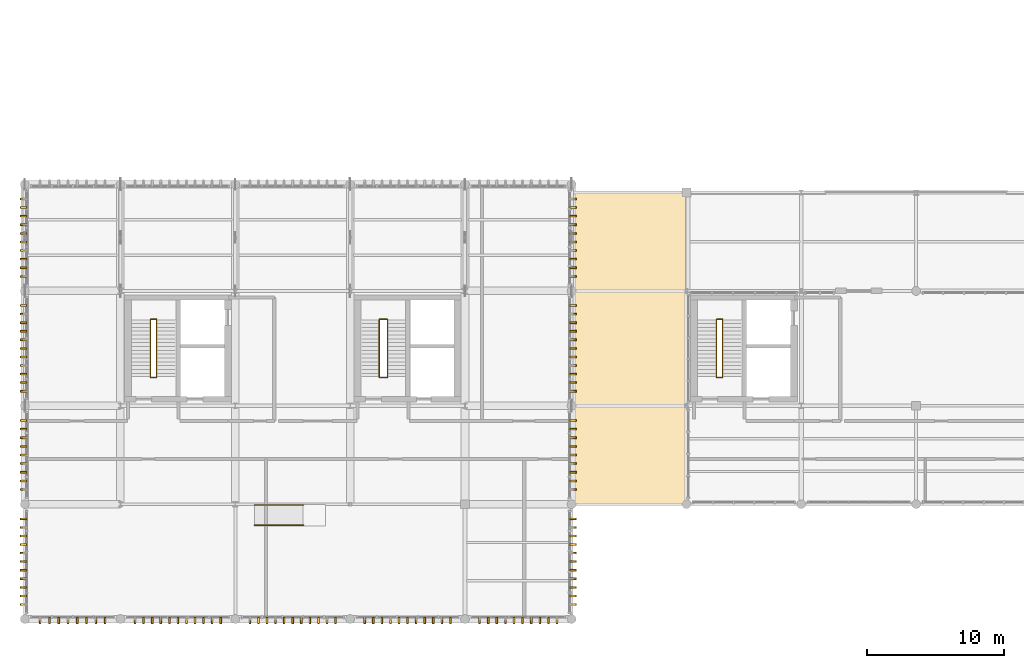
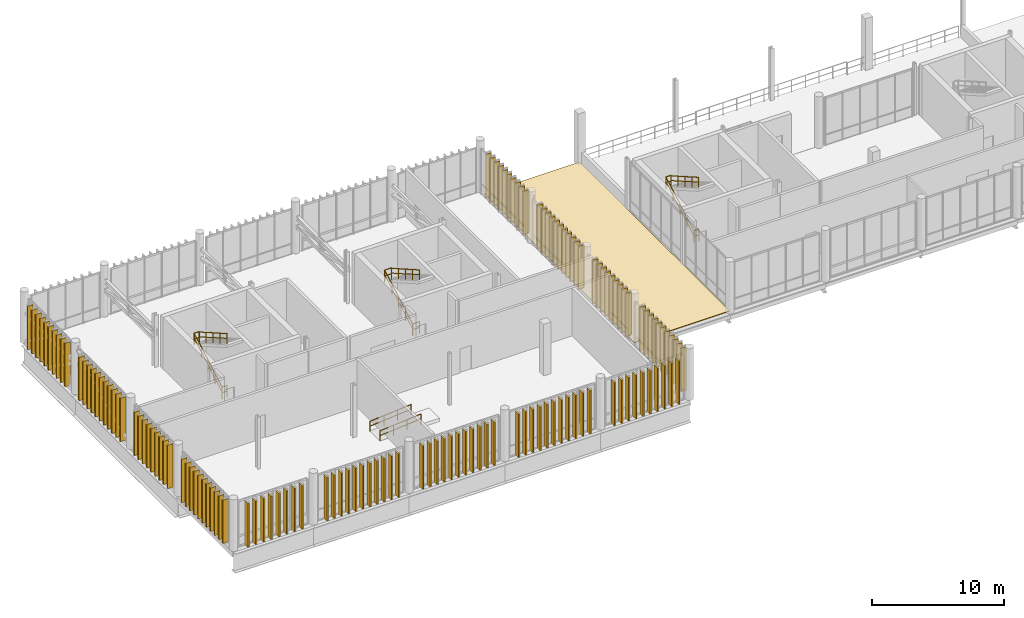
# One storey, part 76 of 81: 134 coverings, 14 railings, 1 element without a shape of its own.
"""IFC4 building model written with IfcOpenShell, lengths in metres."""

from ifc_helpers import new_model, si_unit, direction, frame, frame_2d, origin_with_axes, origin_2d_with_axis, place, context, subcontext, project, spatial, polyline, rectangle, circle, outline, extrude, material, type_object, element, aggregate, save


model = new_model("IFC4")

# Units and contexts
model_context = context("Model", 3, precision=1e-05, world=origin_with_axes(), true_north=direction((0.0, 1.0)))
body_context = subcontext(model_context, "Body", "Model", "MODEL_VIEW")
ifc_project = project(units=[si_unit("LENGTHUNIT", "METRE"), si_unit("AREAUNIT", "SQUARE_METRE"), si_unit("VOLUMEUNIT", "CUBIC_METRE"), si_unit("PLANEANGLEUNIT", "RADIAN"), si_unit("MASSUNIT", "GRAM", prefix="KILO"), si_unit("THERMODYNAMICTEMPERATUREUNIT", "KELVIN")], contexts=[model_context])

# Site, building, storey
site_placement = place(None, origin_with_axes())
site = spatial("IfcSite", under=ifc_project, at=site_placement, CompositionType="ELEMENT")
building_placement = place(site_placement, origin_with_axes())
building = spatial("IfcBuilding", under=site, at=building_placement, Name="Montbau Bow Law Courts", CompositionType="ELEMENT")
storey_placement = place(building_placement, frame((0.0, 0.0, 24.9), z_axis=(0.0, 0.0, 1.0), x_axis=(1.0, 0.0, 0.0)))
storey = spatial("IfcBuildingStorey", under=building, at=storey_placement, Name="L05", CompositionType="ELEMENT", Elevation=24.9)

# Coverings
ifc_material_1 = material(Name="Freeze-Thaw Glazed Terracotta-Red Ceramic Vertical Louvre", Category="masonry")
covering_type_1 = type_object("IfcCoveringType", Name="CV-LVR-RED", PredefinedType="CLADDING", material=ifc_material_1)
for number, where, z_axis, x_axis, name in (
    (1, (7.92, 30.73, 24.9), (-1.0, 0.0, 0.0), (0.0, -1.0, 0.0), "CLV-L05-0608:cov_0653"),
    (2, (8.6, 30.73, 24.9), (-1.0, 0.0, 0.0), (0.0, -1.0, 0.0), "CLV-L05-0609:cov_0654"),
    (3, (9.28, 30.73, 24.9), (-1.0, 0.0, 0.0), (0.0, -1.0, 0.0), "CLV-L05-0610:cov_0655"),
    (4, (9.96, 30.73, 24.9), (-1.0, 0.0, 0.0), (0.0, -1.0, 0.0), "CLV-L05-0611:cov_0656"),
    (5, (10.64, 30.73, 24.9), (-1.0, 0.0, 0.0), (0.0, -1.0, 0.0), "CLV-L05-0612:cov_0657"),
    (6, (11.32, 30.73, 24.9), (-1.0, 0.0, 0.0), (0.0, -1.0, 0.0), "CLV-L05-0613:cov_0658"),
    (7, (12.0, 30.73, 24.9), (-1.0, 0.0, 0.0), (0.0, -1.0, 0.0), "CLV-L05-0614:cov_0659"),
    (8, (12.68, 30.73, 24.9), (-1.0, 0.0, 0.0), (0.0, -1.0, 0.0), "CLV-L05-0615:cov_0660"),
    (9, (14.867, 30.73, 24.9), (-1.0, 0.0, 0.0), (0.0, -1.0, 0.0), "CLV-L05-0616:cov_0661"),
    (10, (15.493, 30.73, 24.9), (-1.0, 0.0, 0.0), (0.0, -1.0, 0.0), "CLV-L05-0617:cov_0662"),
    (11, (16.12, 30.73, 24.9), (-1.0, 0.0, 0.0), (0.0, -1.0, 0.0), "CLV-L05-0618:cov_0663"),
    (12, (16.747, 30.73, 24.9), (-1.0, 0.0, 0.0), (0.0, -1.0, 0.0), "CLV-L05-0619:cov_0664"),
    (13, (17.373, 30.73, 24.9), (-1.0, 0.0, 0.0), (0.0, -1.0, 0.0), "CLV-L05-0620:cov_0665"),
    (14, (18.0, 30.73, 24.9), (-1.0, 0.0, 0.0), (0.0, -1.0, 0.0), "CLV-L05-0621:cov_0666"),
    (15, (18.627, 30.73, 24.9), (-1.0, 0.0, 0.0), (0.0, -1.0, 0.0), "CLV-L05-0622:cov_0667"),
    (16, (19.253, 30.73, 24.9), (-1.0, 0.0, 0.0), (0.0, -1.0, 0.0), "CLV-L05-0623:cov_0668"),
    (17, (19.88, 30.73, 24.9), (-1.0, 0.0, 0.0), (0.0, -1.0, 0.0), "CLV-L05-0624:cov_0669"),
    (18, (20.507, 30.73, 24.9), (-1.0, 0.0, 0.0), (0.0, -1.0, 0.0), "CLV-L05-0625:cov_0670"),
    (19, (21.133, 30.73, 24.9), (-1.0, 0.0, 0.0), (0.0, -1.0, 0.0), "CLV-L05-0626:cov_0671"),
    (20, (23.267, 30.73, 24.9), (-1.0, 0.0, 0.0), (0.0, -1.0, 0.0), "CLV-L05-0627:cov_0672"),
    (21, (23.893, 30.73, 24.9), (-1.0, 0.0, 0.0), (0.0, -1.0, 0.0), "CLV-L05-0628:cov_0673"),
    (22, (24.52, 30.73, 24.9), (-1.0, 0.0, 0.0), (0.0, -1.0, 0.0), "CLV-L05-0629:cov_0674"),
    (23, (25.147, 30.73, 24.9), (-1.0, 0.0, 0.0), (0.0, -1.0, 0.0), "CLV-L05-0630:cov_0675"),
    (24, (25.773, 30.73, 24.9), (-1.0, 0.0, 0.0), (0.0, -1.0, 0.0), "CLV-L05-0631:cov_0676"),
    (25, (26.4, 30.73, 24.9), (-1.0, 0.0, 0.0), (0.0, -1.0, 0.0), "CLV-L05-0632:cov_0677"),
    (26, (27.027, 30.73, 24.9), (-1.0, 0.0, 0.0), (0.0, -1.0, 0.0), "CLV-L05-0633:cov_0678"),
    (27, (27.653, 30.73, 24.9), (-1.0, 0.0, 0.0), (0.0, -1.0, 0.0), "CLV-L05-0634:cov_0679"),
    (28, (28.28, 30.73, 24.9), (-1.0, 0.0, 0.0), (0.0, -1.0, 0.0), "CLV-L05-0635:cov_0680"),
    (29, (28.907, 30.73, 24.9), (-1.0, 0.0, 0.0), (0.0, -1.0, 0.0), "CLV-L05-0636:cov_0681"),
    (30, (29.533, 30.73, 24.9), (-1.0, 0.0, 0.0), (0.0, -1.0, 0.0), "CLV-L05-0637:cov_0682"),
    (31, (31.667, 30.73, 24.9), (-1.0, 0.0, 0.0), (0.0, -1.0, 0.0), "CLV-L05-0638:cov_0683"),
    (32, (32.293, 30.73, 24.9), (-1.0, 0.0, 0.0), (0.0, -1.0, 0.0), "CLV-L05-0639:cov_0684"),
    (33, (32.92, 30.73, 24.9), (-1.0, 0.0, 0.0), (0.0, -1.0, 0.0), "CLV-L05-0640:cov_0685"),
    (34, (33.547, 30.73, 24.9), (-1.0, 0.0, 0.0), (0.0, -1.0, 0.0), "CLV-L05-0641:cov_0686"),
    (35, (34.173, 30.73, 24.9), (-1.0, 0.0, 0.0), (0.0, -1.0, 0.0), "CLV-L05-0642:cov_0687"),
    (36, (34.8, 30.73, 24.9), (-1.0, 0.0, 0.0), (0.0, -1.0, 0.0), "CLV-L05-0643:cov_0688"),
    (37, (35.427, 30.73, 24.9), (-1.0, 0.0, 0.0), (0.0, -1.0, 0.0), "CLV-L05-0644:cov_0689"),
    (38, (36.053, 30.73, 24.9), (-1.0, 0.0, 0.0), (0.0, -1.0, 0.0), "CLV-L05-0645:cov_0690"),
    (39, (36.68, 30.73, 24.9), (-1.0, 0.0, 0.0), (0.0, -1.0, 0.0), "CLV-L05-0646:cov_0691"),
    (40, (37.307, 30.73, 24.9), (-1.0, 0.0, 0.0), (0.0, -1.0, 0.0), "CLV-L05-0647:cov_0692"),
    (41, (37.933, 30.73, 24.9), (-1.0, 0.0, 0.0), (0.0, -1.0, 0.0), "CLV-L05-0648:cov_0693"),
    (42, (40.069, 30.73, 24.9), (-1.0, 0.0, 0.0), (0.0, -1.0, 0.0), "CLV-L05-0649:cov_0694"),
    (43, (40.698, 30.73, 24.9), (-1.0, 0.0, 0.0), (0.0, -1.0, 0.0), "CLV-L05-0650:cov_0695"),
    (44, (41.327, 30.73, 24.9), (-1.0, 0.0, 0.0), (0.0, -1.0, 0.0), "CLV-L05-0651:cov_0696"),
    (45, (41.956, 30.73, 24.9), (-1.0, 0.0, 0.0), (0.0, -1.0, 0.0), "CLV-L05-0652:cov_0697"),
    (46, (42.585, 30.73, 24.9), (-1.0, 0.0, 0.0), (0.0, -1.0, 0.0), "CLV-L05-0653:cov_0698"),
    (47, (43.215, 30.73, 24.9), (-1.0, 0.0, 0.0), (0.0, -1.0, 0.0), "CLV-L05-0654:cov_0699"),
    (48, (43.844, 30.73, 24.9), (-1.0, 0.0, 0.0), (0.0, -1.0, 0.0), "CLV-L05-0655:cov_0700"),
    (49, (44.473, 30.73, 24.9), (-1.0, 0.0, 0.0), (0.0, -1.0, 0.0), "CLV-L05-0656:cov_0701"),
    (50, (45.102, 30.73, 24.9), (-1.0, 0.0, 0.0), (0.0, -1.0, 0.0), "CLV-L05-0657:cov_0702"),
    (51, (45.731, 30.73, 24.9), (-1.0, 0.0, 0.0), (0.0, -1.0, 0.0), "CLV-L05-0658:cov_0703"),
    (52, (6.93, 31.667, 24.9), (0.0, 1.0, 0.0), (-1.0, 0.0, 0.0), "CLV-L05-0710:cov_0755"),
    (53, (6.93, 32.293, 24.9), (0.0, 1.0, 0.0), (-1.0, 0.0, 0.0), "CLV-L05-0711:cov_0756"),
    (54, (6.93, 32.92, 24.9), (0.0, 1.0, 0.0), (-1.0, 0.0, 0.0), "CLV-L05-0712:cov_0757"),
    (55, (6.93, 33.547, 24.9), (0.0, 1.0, 0.0), (-1.0, 0.0, 0.0), "CLV-L05-0713:cov_0758"),
    (56, (6.93, 34.173, 24.9), (0.0, 1.0, 0.0), (-1.0, 0.0, 0.0), "CLV-L05-0714:cov_0759"),
    (57, (6.93, 34.8, 24.9), (0.0, 1.0, 0.0), (-1.0, 0.0, 0.0), "CLV-L05-0715:cov_0760"),
    (58, (6.93, 35.427, 24.9), (0.0, 1.0, 0.0), (-1.0, 0.0, 0.0), "CLV-L05-0716:cov_0761"),
    (59, (6.93, 36.053, 24.9), (0.0, 1.0, 0.0), (-1.0, 0.0, 0.0), "CLV-L05-0717:cov_0762"),
    (60, (6.93, 36.68, 24.9), (0.0, 1.0, 0.0), (-1.0, 0.0, 0.0), "CLV-L05-0718:cov_0763"),
    (61, (6.93, 37.307, 24.9), (0.0, 1.0, 0.0), (-1.0, 0.0, 0.0), "CLV-L05-0719:cov_0764"),
    (62, (6.93, 37.933, 24.9), (0.0, 1.0, 0.0), (-1.0, 0.0, 0.0), "CLV-L05-0720:cov_0765"),
    (63, (6.93, 40.072, 24.9), (0.0, 1.0, 0.0), (-1.0, 0.0, 0.0), "CLV-L05-0721:cov_0766"),
    (64, (6.93, 40.704, 24.9), (0.0, 1.0, 0.0), (-1.0, 0.0, 0.0), "CLV-L05-0722:cov_0767"),
    (65, (6.93, 41.336, 24.9), (0.0, 1.0, 0.0), (-1.0, 0.0, 0.0), "CLV-L05-0723:cov_0768"),
    (66, (6.93, 41.968, 24.9), (0.0, 1.0, 0.0), (-1.0, 0.0, 0.0), "CLV-L05-0724:cov_0769"),
    (67, (6.93, 42.6, 24.9), (0.0, 1.0, 0.0), (-1.0, 0.0, 0.0), "CLV-L05-0725:cov_0770"),
    (68, (6.93, 43.232, 24.9), (0.0, 1.0, 0.0), (-1.0, 0.0, 0.0), "CLV-L05-0726:cov_0771"),
    (69, (6.93, 43.864, 24.9), (0.0, 1.0, 0.0), (-1.0, 0.0, 0.0), "CLV-L05-0727:cov_0772"),
    (70, (6.93, 44.496, 24.9), (0.0, 1.0, 0.0), (-1.0, 0.0, 0.0), "CLV-L05-0728:cov_0773"),
    (71, (6.93, 45.128, 24.9), (0.0, 1.0, 0.0), (-1.0, 0.0, 0.0), "CLV-L05-0729:cov_0774"),
    (72, (6.93, 47.267, 24.9), (0.0, 1.0, 0.0), (-1.0, 0.0, 0.0), "CLV-L05-0730:cov_0775"),
    (73, (6.93, 47.893, 24.9), (0.0, 1.0, 0.0), (-1.0, 0.0, 0.0), "CLV-L05-0731:cov_0776"),
    (74, (6.93, 48.52, 24.9), (0.0, 1.0, 0.0), (-1.0, 0.0, 0.0), "CLV-L05-0732:cov_0777"),
    (75, (6.93, 49.147, 24.9), (0.0, 1.0, 0.0), (-1.0, 0.0, 0.0), "CLV-L05-0733:cov_0778"),
    (76, (6.93, 49.773, 24.9), (0.0, 1.0, 0.0), (-1.0, 0.0, 0.0), "CLV-L05-0734:cov_0779"),
    (77, (6.93, 50.4, 24.9), (0.0, 1.0, 0.0), (-1.0, 0.0, 0.0), "CLV-L05-0735:cov_0780"),
    (78, (6.93, 51.027, 24.9), (0.0, 1.0, 0.0), (-1.0, 0.0, 0.0), "CLV-L05-0736:cov_0781"),
    (79, (6.93, 51.653, 24.9), (0.0, 1.0, 0.0), (-1.0, 0.0, 0.0), "CLV-L05-0737:cov_0782"),
    (80, (6.93, 52.28, 24.9), (0.0, 1.0, 0.0), (-1.0, 0.0, 0.0), "CLV-L05-0738:cov_0783"),
    (81, (6.93, 52.907, 24.9), (0.0, 1.0, 0.0), (-1.0, 0.0, 0.0), "CLV-L05-0739:cov_0784"),
    (82, (6.93, 53.533, 24.9), (0.0, 1.0, 0.0), (-1.0, 0.0, 0.0), "CLV-L05-0740:cov_0785"),
    (83, (6.93, 55.669, 24.9), (0.0, 1.0, 0.0), (-1.0, 0.0, 0.0), "CLV-L05-0741:cov_0786"),
    (84, (6.93, 56.298, 24.9), (0.0, 1.0, 0.0), (-1.0, 0.0, 0.0), "CLV-L05-0742:cov_0787"),
    (85, (6.93, 56.927, 24.9), (0.0, 1.0, 0.0), (-1.0, 0.0, 0.0), "CLV-L05-0743:cov_0788"),
    (86, (6.93, 57.556, 24.9), (0.0, 1.0, 0.0), (-1.0, 0.0, 0.0), "CLV-L05-0744:cov_0789"),
    (87, (6.93, 58.185, 24.9), (0.0, 1.0, 0.0), (-1.0, 0.0, 0.0), "CLV-L05-0745:cov_0790"),
    (88, (6.93, 58.815, 24.9), (0.0, 1.0, 0.0), (-1.0, 0.0, 0.0), "CLV-L05-0746:cov_0791"),
    (89, (6.93, 59.444, 24.9), (0.0, 1.0, 0.0), (-1.0, 0.0, 0.0), "CLV-L05-0747:cov_0792"),
    (90, (6.93, 60.073, 24.9), (0.0, 1.0, 0.0), (-1.0, 0.0, 0.0), "CLV-L05-0748:cov_0793"),
    (91, (6.93, 60.702, 24.9), (0.0, 1.0, 0.0), (-1.0, 0.0, 0.0), "CLV-L05-0749:cov_0794"),
    (92, (6.93, 61.331, 24.9), (0.0, 1.0, 0.0), (-1.0, 0.0, 0.0), "CLV-L05-0750:cov_0795"),
    (93, (46.67, 31.667, 24.9), (0.0, -1.0, 0.0), (1.0, 0.0, 0.0), "CLV-L05-0751:cov_0796"),
    (94, (46.67, 32.293, 24.9), (0.0, -1.0, 0.0), (1.0, 0.0, 0.0), "CLV-L05-0752:cov_0797"),
    (95, (46.67, 32.92, 24.9), (0.0, -1.0, 0.0), (1.0, 0.0, 0.0), "CLV-L05-0753:cov_0798"),
    (96, (46.67, 33.547, 24.9), (0.0, -1.0, 0.0), (1.0, 0.0, 0.0), "CLV-L05-0754:cov_0799"),
    (97, (46.67, 34.173, 24.9), (0.0, -1.0, 0.0), (1.0, 0.0, 0.0), "CLV-L05-0755:cov_0800"),
    (98, (46.67, 34.8, 24.9), (0.0, -1.0, 0.0), (1.0, 0.0, 0.0), "CLV-L05-0756:cov_0801"),
    (99, (46.67, 35.427, 24.9), (0.0, -1.0, 0.0), (1.0, 0.0, 0.0), "CLV-L05-0757:cov_0802"),
    (100, (46.67, 36.053, 24.9), (0.0, -1.0, 0.0), (1.0, 0.0, 0.0), "CLV-L05-0758:cov_0803"),
    (101, (46.67, 36.68, 24.9), (0.0, -1.0, 0.0), (1.0, 0.0, 0.0), "CLV-L05-0759:cov_0804"),
    (102, (46.67, 37.307, 24.9), (0.0, -1.0, 0.0), (1.0, 0.0, 0.0), "CLV-L05-0760:cov_0805"),
    (103, (46.67, 37.933, 24.9), (0.0, -1.0, 0.0), (1.0, 0.0, 0.0), "CLV-L05-0761:cov_0806"),
    (104, (46.67, 40.072, 24.9), (0.0, -1.0, 0.0), (1.0, 0.0, 0.0), "CLV-L05-0762:cov_0807"),
    (105, (46.67, 40.704, 24.9), (0.0, -1.0, 0.0), (1.0, 0.0, 0.0), "CLV-L05-0763:cov_0808"),
    (106, (46.67, 41.336, 24.9), (0.0, -1.0, 0.0), (1.0, 0.0, 0.0), "CLV-L05-0764:cov_0809"),
    (107, (46.67, 41.968, 24.9), (0.0, -1.0, 0.0), (1.0, 0.0, 0.0), "CLV-L05-0765:cov_0810"),
    (108, (46.67, 42.6, 24.9), (0.0, -1.0, 0.0), (1.0, 0.0, 0.0), "CLV-L05-0766:cov_0811"),
    (109, (46.67, 43.232, 24.9), (0.0, -1.0, 0.0), (1.0, 0.0, 0.0), "CLV-L05-0767:cov_0812"),
    (110, (46.67, 43.864, 24.9), (0.0, -1.0, 0.0), (1.0, 0.0, 0.0), "CLV-L05-0768:cov_0813"),
    (111, (46.67, 44.496, 24.9), (0.0, -1.0, 0.0), (1.0, 0.0, 0.0), "CLV-L05-0769:cov_0814"),
    (112, (46.67, 45.128, 24.9), (0.0, -1.0, 0.0), (1.0, 0.0, 0.0), "CLV-L05-0770:cov_0815"),
    (113, (46.67, 47.267, 24.9), (0.0, -1.0, 0.0), (1.0, 0.0, 0.0), "CLV-L05-0771:cov_0816"),
    (114, (46.67, 47.893, 24.9), (0.0, -1.0, 0.0), (1.0, 0.0, 0.0), "CLV-L05-0772:cov_0817"),
    (115, (46.67, 48.52, 24.9), (0.0, -1.0, 0.0), (1.0, 0.0, 0.0), "CLV-L05-0773:cov_0818"),
    (116, (46.67, 49.147, 24.9), (0.0, -1.0, 0.0), (1.0, 0.0, 0.0), "CLV-L05-0774:cov_0819"),
    (117, (46.67, 49.773, 24.9), (0.0, -1.0, 0.0), (1.0, 0.0, 0.0), "CLV-L05-0775:cov_0820"),
    (118, (46.67, 50.4, 24.9), (0.0, -1.0, 0.0), (1.0, 0.0, 0.0), "CLV-L05-0776:cov_0821"),
    (119, (46.67, 51.027, 24.9), (0.0, -1.0, 0.0), (1.0, 0.0, 0.0), "CLV-L05-0777:cov_0822"),
    (120, (46.67, 51.653, 24.9), (0.0, -1.0, 0.0), (1.0, 0.0, 0.0), "CLV-L05-0778:cov_0823"),
    (121, (46.67, 52.28, 24.9), (0.0, -1.0, 0.0), (1.0, 0.0, 0.0), "CLV-L05-0779:cov_0824"),
    (122, (46.67, 52.907, 24.9), (0.0, -1.0, 0.0), (1.0, 0.0, 0.0), "CLV-L05-0780:cov_0825"),
    (123, (46.67, 53.533, 24.9), (0.0, -1.0, 0.0), (1.0, 0.0, 0.0), "CLV-L05-0781:cov_0826"),
    (124, (46.67, 55.669, 24.9), (0.0, -1.0, 0.0), (1.0, 0.0, 0.0), "CLV-L05-0782:cov_0827"),
    (125, (46.67, 56.298, 24.9), (0.0, -1.0, 0.0), (1.0, 0.0, 0.0), "CLV-L05-0783:cov_0828"),
    (126, (46.67, 56.927, 24.9), (0.0, -1.0, 0.0), (1.0, 0.0, 0.0), "CLV-L05-0784:cov_0829"),
    (127, (46.67, 57.556, 24.9), (0.0, -1.0, 0.0), (1.0, 0.0, 0.0), "CLV-L05-0785:cov_0830"),
    (128, (46.67, 58.185, 24.9), (0.0, -1.0, 0.0), (1.0, 0.0, 0.0), "CLV-L05-0786:cov_0831"),
    (129, (46.67, 58.815, 24.9), (0.0, -1.0, 0.0), (1.0, 0.0, 0.0), "CLV-L05-0787:cov_0832"),
    (130, (46.67, 59.444, 24.9), (0.0, -1.0, 0.0), (1.0, 0.0, 0.0), "CLV-L05-0788:cov_0833"),
    (131, (46.67, 60.073, 24.9), (0.0, -1.0, 0.0), (1.0, 0.0, 0.0), "CLV-L05-0789:cov_0834"),
    (132, (46.67, 60.702, 24.9), (0.0, -1.0, 0.0), (1.0, 0.0, 0.0), "CLV-L05-0790:cov_0835"),
    (133, (46.67, 61.331, 24.9), (0.0, -1.0, 0.0), (1.0, 0.0, 0.0), "CLV-L05-0791:cov_0836"),
):
    element("IfcCovering", number, at=place(None, frame(where, z_axis=z_axis, x_axis=x_axis)), inside=storey, type_object=covering_type_1, Name=name, PredefinedType="CLADDING", context=body_context, shape_type="SweptSolid", body=[
        extrude(rectangle(XDim=0.48, YDim=4.04, at=frame_2d((0.24, 2.02), x_axis=(1.0, 0.0))), frame((0.0, 0.0, -0.06), z_axis=(0.0, 0.0, 1.0), x_axis=(1.0, 0.0, 0.0)), (0.0, 0.0, 1.0), 0.12),
    ])

# Roof, covering
ifc_material_2 = material(Name="Insulated Inverted Membrane Roof", Category="other")
roof_type = type_object("IfcRoofType", Name="RF-FL-01", PredefinedType="FLAT_ROOF", material=ifc_material_2)
roof_placement = place(None, frame((46.804, 39.0, 24.9), z_axis=(0.0, 0.0, 1.0), x_axis=(1.0, 0.0, 0.0)))
roof = element("IfcRoof", 134, at=roof_placement, inside=storey, type_object=roof_type, Name="ROOF-LID-L05-20:rof_0025", PredefinedType="FLAT_ROOF")
ifc_material_3 = material(Name="Standing-Seam Pre-Weathered Zinc Roofing Membrane", Category="steel")
covering_type_2 = type_object("IfcCoveringType", Name="CV-ROF-01", PredefinedType="ROOFING", material=ifc_material_3)
covering_placement = place(None, frame((0.0, 0.0, 24.9), z_axis=(0.0, 0.0, 1.0), x_axis=(1.0, 0.0, 0.0)))
covering = element("IfcCovering", 135, at=covering_placement, type_object=covering_type_2, Name="CVR-LID-L05-20:cov_0025", PredefinedType="ROOFING", context=body_context, shape_type="SweptSolid", body=[
    extrude(outline(polyline([(55.196, 61.8), (55.196, 39.0), (46.804, 39.0), (46.804, 61.8), (55.196, 61.8)])), origin_with_axes(), (0.0, 0.0, 1.0), 0.06),
])
aggregate(roof, [covering])

# Railings
ifc_material_4 = material(Name="Architectural Bronze-Finished Steel Stair Guard", Category="steel")
railing_type_1 = type_object("IfcRailingType", Name="RL-GRD-1100", PredefinedType="GUARDRAIL", material=ifc_material_4)
railing_1_placement = place(None, origin_with_axes())
element("IfcRailing", 136, at=railing_1_placement, inside=storey, type_object=railing_type_1, Name="SG-ST-P1-L05-ML:rlg_0056", PredefinedType="GUARDRAIL", context=body_context, shape_type="SweptSolid", body=[
    extrude(circle(Radius=0.0225, at=origin_2d_with_axis()), frame((16.01, 52.53, 28.402), z_axis=(1.0, 0.0, 0.0), x_axis=(0.0, 0.0, 1.0)), (0.0, 0.0, 1.0), 0.43),
    extrude(circle(Radius=0.02025, at=origin_2d_with_axis()), frame((16.01, 52.53, 27.872), z_axis=(1.0, 0.0, 0.0), x_axis=(0.0, 0.0, 1.0)), (0.0, 0.0, 1.0), 0.43),
    extrude(circle(Radius=0.02025, at=origin_2d_with_axis()), frame((16.01, 52.53, 27.3), z_axis=(0.0, 0.0, 1.0), x_axis=(1.0, 0.0, 0.0)), (0.0, 0.0, 1.0), 1.07525),
    extrude(circle(Radius=0.02025, at=origin_2d_with_axis()), frame((16.44, 52.53, 27.3), z_axis=(0.0, 0.0, 1.0), x_axis=(1.0, 0.0, 0.0)), (0.0, 0.0, 1.0), 1.07525),
])
railing_2_placement = place(None, origin_with_axes())
element("IfcRailing", 137, at=railing_2_placement, inside=storey, type_object=railing_type_1, Name="SG-ST-P1-L05-BL:rlg_0057", PredefinedType="GUARDRAIL", context=body_context, shape_type="SweptSolid", body=[
    extrude(circle(Radius=0.0225, at=origin_2d_with_axis()), frame((16.01, 48.27, 26.002), z_axis=(1.0, 0.0, 0.0), x_axis=(0.0, 0.0, 1.0)), (0.0, 0.0, 1.0), 0.43),
    extrude(circle(Radius=0.02025, at=origin_2d_with_axis()), frame((16.01, 48.27, 25.472), z_axis=(1.0, 0.0, 0.0), x_axis=(0.0, 0.0, 1.0)), (0.0, 0.0, 1.0), 0.43),
    extrude(circle(Radius=0.02025, at=origin_2d_with_axis()), frame((16.01, 48.27, 24.9), z_axis=(0.0, 0.0, 1.0), x_axis=(1.0, 0.0, 0.0)), (0.0, 0.0, 1.0), 1.07525),
    extrude(circle(Radius=0.02025, at=origin_2d_with_axis()), frame((16.44, 48.27, 24.9), z_axis=(0.0, 0.0, 1.0), x_axis=(1.0, 0.0, 0.0)), (0.0, 0.0, 1.0), 1.07525),
])
railing_3_placement = place(None, origin_with_axes())
element("IfcRailing", 138, at=railing_3_placement, inside=storey, type_object=railing_type_1, Name="SG-ST-J1-L05-ML:rlg_0088", PredefinedType="GUARDRAIL", context=body_context, shape_type="SweptSolid", body=[
    extrude(circle(Radius=0.0225, at=origin_2d_with_axis()), frame((32.73, 52.53, 28.402), z_axis=(1.0, 0.0, 0.0), x_axis=(0.0, 0.0, 1.0)), (0.0, 0.0, 1.0), 0.59),
    extrude(circle(Radius=0.02025, at=origin_2d_with_axis()), frame((32.73, 52.53, 27.872), z_axis=(1.0, 0.0, 0.0), x_axis=(0.0, 0.0, 1.0)), (0.0, 0.0, 1.0), 0.59),
    extrude(circle(Radius=0.02025, at=origin_2d_with_axis()), frame((32.73, 52.53, 27.3), z_axis=(0.0, 0.0, 1.0), x_axis=(1.0, 0.0, 0.0)), (0.0, 0.0, 1.0), 1.07525),
    extrude(circle(Radius=0.02025, at=origin_2d_with_axis()), frame((33.32, 52.53, 27.3), z_axis=(0.0, 0.0, 1.0), x_axis=(1.0, 0.0, 0.0)), (0.0, 0.0, 1.0), 1.07525),
])
railing_4_placement = place(None, origin_with_axes())
element("IfcRailing", 139, at=railing_4_placement, inside=storey, type_object=railing_type_1, Name="SG-ST-J1-L05-BL:rlg_0089", PredefinedType="GUARDRAIL", context=body_context, shape_type="SweptSolid", body=[
    extrude(circle(Radius=0.0225, at=origin_2d_with_axis()), frame((32.73, 48.27, 26.002), z_axis=(1.0, 0.0, 0.0), x_axis=(0.0, 0.0, 1.0)), (0.0, 0.0, 1.0), 0.59),
    extrude(circle(Radius=0.02025, at=origin_2d_with_axis()), frame((32.73, 48.27, 25.472), z_axis=(1.0, 0.0, 0.0), x_axis=(0.0, 0.0, 1.0)), (0.0, 0.0, 1.0), 0.59),
    extrude(circle(Radius=0.02025, at=origin_2d_with_axis()), frame((32.73, 48.27, 24.9), z_axis=(0.0, 0.0, 1.0), x_axis=(1.0, 0.0, 0.0)), (0.0, 0.0, 1.0), 1.07525),
    extrude(circle(Radius=0.02025, at=origin_2d_with_axis()), frame((33.32, 48.27, 24.9), z_axis=(0.0, 0.0, 1.0), x_axis=(1.0, 0.0, 0.0)), (0.0, 0.0, 1.0), 1.07525),
])
railing_5_placement = place(None, origin_with_axes())
element("IfcRailing", 140, at=railing_5_placement, inside=storey, type_object=railing_type_1, Name="SG-ST-P4-L05-ML:rlg_0120", PredefinedType="GUARDRAIL", context=body_context, shape_type="SweptSolid", body=[
    extrude(circle(Radius=0.0225, at=origin_2d_with_axis()), frame((57.41, 52.53, 28.402), z_axis=(1.0, 0.0, 0.0), x_axis=(0.0, 0.0, 1.0)), (0.0, 0.0, 1.0), 0.43),
    extrude(circle(Radius=0.02025, at=origin_2d_with_axis()), frame((57.41, 52.53, 27.872), z_axis=(1.0, 0.0, 0.0), x_axis=(0.0, 0.0, 1.0)), (0.0, 0.0, 1.0), 0.43),
    extrude(circle(Radius=0.02025, at=origin_2d_with_axis()), frame((57.41, 52.53, 27.3), z_axis=(0.0, 0.0, 1.0), x_axis=(1.0, 0.0, 0.0)), (0.0, 0.0, 1.0), 1.07525),
    extrude(circle(Radius=0.02025, at=origin_2d_with_axis()), frame((57.84, 52.53, 27.3), z_axis=(0.0, 0.0, 1.0), x_axis=(1.0, 0.0, 0.0)), (0.0, 0.0, 1.0), 1.07525),
])
railing_6_placement = place(None, origin_with_axes())
element("IfcRailing", 141, at=railing_6_placement, inside=storey, type_object=railing_type_1, Name="SG-ST-P4-L05-BL:rlg_0121", PredefinedType="GUARDRAIL", context=body_context, shape_type="SweptSolid", body=[
    extrude(circle(Radius=0.0225, at=origin_2d_with_axis()), frame((57.41, 48.27, 26.002), z_axis=(1.0, 0.0, 0.0), x_axis=(0.0, 0.0, 1.0)), (0.0, 0.0, 1.0), 0.43),
    extrude(circle(Radius=0.02025, at=origin_2d_with_axis()), frame((57.41, 48.27, 25.472), z_axis=(1.0, 0.0, 0.0), x_axis=(0.0, 0.0, 1.0)), (0.0, 0.0, 1.0), 0.43),
    extrude(circle(Radius=0.02025, at=origin_2d_with_axis()), frame((57.41, 48.27, 24.9), z_axis=(0.0, 0.0, 1.0), x_axis=(1.0, 0.0, 0.0)), (0.0, 0.0, 1.0), 1.07525),
    extrude(circle(Radius=0.02025, at=origin_2d_with_axis()), frame((57.84, 48.27, 24.9), z_axis=(0.0, 0.0, 1.0), x_axis=(1.0, 0.0, 0.0)), (0.0, 0.0, 1.0), 1.07525),
])
ifc_material_5 = material(Name="White-Oak and Stainless Continuous Stair Handrail", Category="steel")
railing_type_2 = type_object("IfcRailingType", Name="RL-HND-0920", PredefinedType="HANDRAIL", material=ifc_material_5)
railing_7_placement = place(None, origin_with_axes())
element("IfcRailing", 142, at=railing_7_placement, inside=storey, type_object=railing_type_2, Name="HR-ST-P1-L05-1:rlg_0058", PredefinedType="HANDRAIL", context=body_context, shape_type="SweptSolid", body=[
    extrude(circle(Radius=0.021, at=origin_2d_with_axis()), frame((16.01, 48.3, 25.982), z_axis=(0.0, 0.868243142, 0.496138938), x_axis=(0.0, -0.496138938, 0.868243142)), (0.0, 0.0, 1.0), 4.837355),
    extrude(circle(Radius=0.0189, at=origin_2d_with_axis()), frame((16.01, 48.3, 25.5384), z_axis=(0.0, 0.868243142, 0.496138938), x_axis=(0.0, -0.496138938, 0.868243142)), (0.0, 0.0, 1.0), 4.837355),
    extrude(circle(Radius=0.0189, at=origin_2d_with_axis()), frame((16.01, 48.3, 25.06), z_axis=(0.0, 0.0, 1.0), x_axis=(1.0, 0.0, 0.0)), (0.0, 0.0, 1.0), 0.8969),
    extrude(circle(Radius=0.0189, at=origin_2d_with_axis()), frame((16.01, 49.35, 25.66), z_axis=(0.0, 0.0, 1.0), x_axis=(1.0, 0.0, 0.0)), (0.0, 0.0, 1.0), 0.8969),
    extrude(circle(Radius=0.0189, at=origin_2d_with_axis()), frame((16.01, 50.4, 26.26), z_axis=(0.0, 0.0, 1.0), x_axis=(1.0, 0.0, 0.0)), (0.0, 0.0, 1.0), 0.8969),
    extrude(circle(Radius=0.0189, at=origin_2d_with_axis()), frame((16.01, 51.45, 26.86), z_axis=(0.0, 0.0, 1.0), x_axis=(1.0, 0.0, 0.0)), (0.0, 0.0, 1.0), 0.8969),
    extrude(circle(Radius=0.0189, at=origin_2d_with_axis()), frame((16.01, 52.5, 27.46), z_axis=(0.0, 0.0, 1.0), x_axis=(1.0, 0.0, 0.0)), (0.0, 0.0, 1.0), 0.8969),
])
railing_8_placement = place(None, origin_with_axes())
element("IfcRailing", 143, at=railing_8_placement, inside=storey, type_object=railing_type_2, Name="HR-ST-P1-L05-2:rlg_0059", PredefinedType="HANDRAIL", context=body_context, shape_type="SweptSolid", body=[
    extrude(circle(Radius=0.021, at=origin_2d_with_axis()), frame((16.44, 52.5, 28.382), z_axis=(0.0, -0.868243142, 0.496138938), x_axis=(0.0, 0.496138938, 0.868243142)), (0.0, 0.0, 1.0), 4.837355),
    extrude(circle(Radius=0.0189, at=origin_2d_with_axis()), frame((16.44, 52.5, 27.9384), z_axis=(0.0, -0.868243142, 0.496138938), x_axis=(0.0, 0.496138938, 0.868243142)), (0.0, 0.0, 1.0), 4.837355),
    extrude(circle(Radius=0.0189, at=origin_2d_with_axis()), frame((16.44, 52.5, 27.46), z_axis=(0.0, 0.0, 1.0), x_axis=(1.0, 0.0, 0.0)), (0.0, 0.0, 1.0), 0.8969),
    extrude(circle(Radius=0.0189, at=origin_2d_with_axis()), frame((16.44, 51.45, 28.06), z_axis=(0.0, 0.0, 1.0), x_axis=(1.0, 0.0, 0.0)), (0.0, 0.0, 1.0), 0.8969),
    extrude(circle(Radius=0.0189, at=origin_2d_with_axis()), frame((16.44, 50.4, 28.66), z_axis=(0.0, 0.0, 1.0), x_axis=(1.0, 0.0, 0.0)), (0.0, 0.0, 1.0), 0.8969),
    extrude(circle(Radius=0.0189, at=origin_2d_with_axis()), frame((16.44, 49.35, 29.26), z_axis=(0.0, 0.0, 1.0), x_axis=(1.0, 0.0, 0.0)), (0.0, 0.0, 1.0), 0.8969),
    extrude(circle(Radius=0.0189, at=origin_2d_with_axis()), frame((16.44, 48.3, 29.86), z_axis=(0.0, 0.0, 1.0), x_axis=(1.0, 0.0, 0.0)), (0.0, 0.0, 1.0), 0.8969),
])
railing_9_placement = place(None, origin_with_axes())
element("IfcRailing", 144, at=railing_9_placement, inside=storey, type_object=railing_type_2, Name="HR-ST-J1-L05-1:rlg_0090", PredefinedType="HANDRAIL", context=body_context, shape_type="SweptSolid", body=[
    extrude(circle(Radius=0.021, at=origin_2d_with_axis()), frame((32.73, 48.3, 25.982), z_axis=(0.0, 0.868243142, 0.496138938), x_axis=(0.0, -0.496138938, 0.868243142)), (0.0, 0.0, 1.0), 4.837355),
    extrude(circle(Radius=0.0189, at=origin_2d_with_axis()), frame((32.73, 48.3, 25.5384), z_axis=(0.0, 0.868243142, 0.496138938), x_axis=(0.0, -0.496138938, 0.868243142)), (0.0, 0.0, 1.0), 4.837355),
    extrude(circle(Radius=0.0189, at=origin_2d_with_axis()), frame((32.73, 48.3, 25.06), z_axis=(0.0, 0.0, 1.0), x_axis=(1.0, 0.0, 0.0)), (0.0, 0.0, 1.0), 0.8969),
    extrude(circle(Radius=0.0189, at=origin_2d_with_axis()), frame((32.73, 49.35, 25.66), z_axis=(0.0, 0.0, 1.0), x_axis=(1.0, 0.0, 0.0)), (0.0, 0.0, 1.0), 0.8969),
    extrude(circle(Radius=0.0189, at=origin_2d_with_axis()), frame((32.73, 50.4, 26.26), z_axis=(0.0, 0.0, 1.0), x_axis=(1.0, 0.0, 0.0)), (0.0, 0.0, 1.0), 0.8969),
    extrude(circle(Radius=0.0189, at=origin_2d_with_axis()), frame((32.73, 51.45, 26.86), z_axis=(0.0, 0.0, 1.0), x_axis=(1.0, 0.0, 0.0)), (0.0, 0.0, 1.0), 0.8969),
    extrude(circle(Radius=0.0189, at=origin_2d_with_axis()), frame((32.73, 52.5, 27.46), z_axis=(0.0, 0.0, 1.0), x_axis=(1.0, 0.0, 0.0)), (0.0, 0.0, 1.0), 0.8969),
])
railing_10_placement = place(None, origin_with_axes())
element("IfcRailing", 145, at=railing_10_placement, inside=storey, type_object=railing_type_2, Name="HR-ST-J1-L05-2:rlg_0091", PredefinedType="HANDRAIL", context=body_context, shape_type="SweptSolid", body=[
    extrude(circle(Radius=0.021, at=origin_2d_with_axis()), frame((33.32, 52.5, 28.382), z_axis=(0.0, -0.868243142, 0.496138938), x_axis=(0.0, 0.496138938, 0.868243142)), (0.0, 0.0, 1.0), 4.837355),
    extrude(circle(Radius=0.0189, at=origin_2d_with_axis()), frame((33.32, 52.5, 27.9384), z_axis=(0.0, -0.868243142, 0.496138938), x_axis=(0.0, 0.496138938, 0.868243142)), (0.0, 0.0, 1.0), 4.837355),
    extrude(circle(Radius=0.0189, at=origin_2d_with_axis()), frame((33.32, 52.5, 27.46), z_axis=(0.0, 0.0, 1.0), x_axis=(1.0, 0.0, 0.0)), (0.0, 0.0, 1.0), 0.8969),
    extrude(circle(Radius=0.0189, at=origin_2d_with_axis()), frame((33.32, 51.45, 28.06), z_axis=(0.0, 0.0, 1.0), x_axis=(1.0, 0.0, 0.0)), (0.0, 0.0, 1.0), 0.8969),
    extrude(circle(Radius=0.0189, at=origin_2d_with_axis()), frame((33.32, 50.4, 28.66), z_axis=(0.0, 0.0, 1.0), x_axis=(1.0, 0.0, 0.0)), (0.0, 0.0, 1.0), 0.8969),
    extrude(circle(Radius=0.0189, at=origin_2d_with_axis()), frame((33.32, 49.35, 29.26), z_axis=(0.0, 0.0, 1.0), x_axis=(1.0, 0.0, 0.0)), (0.0, 0.0, 1.0), 0.8969),
    extrude(circle(Radius=0.0189, at=origin_2d_with_axis()), frame((33.32, 48.3, 29.86), z_axis=(0.0, 0.0, 1.0), x_axis=(1.0, 0.0, 0.0)), (0.0, 0.0, 1.0), 0.8969),
])
railing_11_placement = place(None, origin_with_axes())
element("IfcRailing", 146, at=railing_11_placement, inside=storey, type_object=railing_type_2, Name="HR-ST-P4-L05-1:rlg_0122", PredefinedType="HANDRAIL", context=body_context, shape_type="SweptSolid", body=[
    extrude(circle(Radius=0.021, at=origin_2d_with_axis()), frame((57.41, 48.3, 25.982), z_axis=(0.0, 0.868243142, 0.496138938), x_axis=(0.0, -0.496138938, 0.868243142)), (0.0, 0.0, 1.0), 4.837355),
    extrude(circle(Radius=0.0189, at=origin_2d_with_axis()), frame((57.41, 48.3, 25.5384), z_axis=(0.0, 0.868243142, 0.496138938), x_axis=(0.0, -0.496138938, 0.868243142)), (0.0, 0.0, 1.0), 4.837355),
    extrude(circle(Radius=0.0189, at=origin_2d_with_axis()), frame((57.41, 48.3, 25.06), z_axis=(0.0, 0.0, 1.0), x_axis=(1.0, 0.0, 0.0)), (0.0, 0.0, 1.0), 0.8969),
    extrude(circle(Radius=0.0189, at=origin_2d_with_axis()), frame((57.41, 49.35, 25.66), z_axis=(0.0, 0.0, 1.0), x_axis=(1.0, 0.0, 0.0)), (0.0, 0.0, 1.0), 0.8969),
    extrude(circle(Radius=0.0189, at=origin_2d_with_axis()), frame((57.41, 50.4, 26.26), z_axis=(0.0, 0.0, 1.0), x_axis=(1.0, 0.0, 0.0)), (0.0, 0.0, 1.0), 0.8969),
    extrude(circle(Radius=0.0189, at=origin_2d_with_axis()), frame((57.41, 51.45, 26.86), z_axis=(0.0, 0.0, 1.0), x_axis=(1.0, 0.0, 0.0)), (0.0, 0.0, 1.0), 0.8969),
    extrude(circle(Radius=0.0189, at=origin_2d_with_axis()), frame((57.41, 52.5, 27.46), z_axis=(0.0, 0.0, 1.0), x_axis=(1.0, 0.0, 0.0)), (0.0, 0.0, 1.0), 0.8969),
])
railing_12_placement = place(None, origin_with_axes())
element("IfcRailing", 147, at=railing_12_placement, inside=storey, type_object=railing_type_2, Name="HR-ST-P4-L05-2:rlg_0123", PredefinedType="HANDRAIL", context=body_context, shape_type="SweptSolid", body=[
    extrude(circle(Radius=0.021, at=origin_2d_with_axis()), frame((57.84, 52.5, 28.382), z_axis=(0.0, -0.868243142, 0.496138938), x_axis=(0.0, 0.496138938, 0.868243142)), (0.0, 0.0, 1.0), 4.837355),
    extrude(circle(Radius=0.0189, at=origin_2d_with_axis()), frame((57.84, 52.5, 27.9384), z_axis=(0.0, -0.868243142, 0.496138938), x_axis=(0.0, 0.496138938, 0.868243142)), (0.0, 0.0, 1.0), 4.837355),
    extrude(circle(Radius=0.0189, at=origin_2d_with_axis()), frame((57.84, 52.5, 27.46), z_axis=(0.0, 0.0, 1.0), x_axis=(1.0, 0.0, 0.0)), (0.0, 0.0, 1.0), 0.8969),
    extrude(circle(Radius=0.0189, at=origin_2d_with_axis()), frame((57.84, 51.45, 28.06), z_axis=(0.0, 0.0, 1.0), x_axis=(1.0, 0.0, 0.0)), (0.0, 0.0, 1.0), 0.8969),
    extrude(circle(Radius=0.0189, at=origin_2d_with_axis()), frame((57.84, 50.4, 28.66), z_axis=(0.0, 0.0, 1.0), x_axis=(1.0, 0.0, 0.0)), (0.0, 0.0, 1.0), 0.8969),
    extrude(circle(Radius=0.0189, at=origin_2d_with_axis()), frame((57.84, 49.35, 29.26), z_axis=(0.0, 0.0, 1.0), x_axis=(1.0, 0.0, 0.0)), (0.0, 0.0, 1.0), 0.8969),
    extrude(circle(Radius=0.0189, at=origin_2d_with_axis()), frame((57.84, 48.3, 29.86), z_axis=(0.0, 0.0, 1.0), x_axis=(1.0, 0.0, 0.0)), (0.0, 0.0, 1.0), 0.8969),
])
railing_13_placement = place(None, origin_with_axes())
element("IfcRailing", 148, at=railing_13_placement, inside=storey, type_object=railing_type_2, Name="HR-R-BF4-L:rlg_0305", PredefinedType="HANDRAIL", context=body_context, shape_type="SweptSolid", body=[
    extrude(circle(Radius=0.021, at=origin_2d_with_axis()), frame((23.6, 37.465, 25.822), z_axis=(0.996545758, 0.0, 0.08304548), x_axis=(-0.08304548, 0.0, 0.996545758)), (0.0, 0.0, 1.0), 3.612478),
    extrude(circle(Radius=0.0189, at=origin_2d_with_axis()), frame((23.6, 37.465, 25.3784), z_axis=(0.996545758, 0.0, 0.08304548), x_axis=(-0.08304548, 0.0, 0.996545758)), (0.0, 0.0, 1.0), 3.612478),
    extrude(circle(Radius=0.0189, at=origin_2d_with_axis()), frame((23.6, 37.465, 24.9), z_axis=(0.0, 0.0, 1.0), x_axis=(1.0, 0.0, 0.0)), (0.0, 0.0, 1.0), 0.8969),
    extrude(circle(Radius=0.0189, at=origin_2d_with_axis()), frame((24.8, 37.465, 25.0), z_axis=(0.0, 0.0, 1.0), x_axis=(1.0, 0.0, 0.0)), (0.0, 0.0, 1.0), 0.8969),
    extrude(circle(Radius=0.0189, at=origin_2d_with_axis()), frame((26.0, 37.465, 25.1), z_axis=(0.0, 0.0, 1.0), x_axis=(1.0, 0.0, 0.0)), (0.0, 0.0, 1.0), 0.8969),
    extrude(circle(Radius=0.0189, at=origin_2d_with_axis()), frame((27.2, 37.465, 25.2), z_axis=(0.0, 0.0, 1.0), x_axis=(1.0, 0.0, 0.0)), (0.0, 0.0, 1.0), 0.8969),
])
railing_14_placement = place(None, origin_with_axes())
element("IfcRailing", 149, at=railing_14_placement, inside=storey, type_object=railing_type_2, Name="HR-R-BF4-R:rlg_0306", PredefinedType="HANDRAIL", context=body_context, shape_type="SweptSolid", body=[
    extrude(circle(Radius=0.021, at=origin_2d_with_axis()), frame((23.6, 38.935, 25.822), z_axis=(0.996545758, 0.0, 0.08304548), x_axis=(-0.08304548, 0.0, 0.996545758)), (0.0, 0.0, 1.0), 3.612478),
    extrude(circle(Radius=0.0189, at=origin_2d_with_axis()), frame((23.6, 38.935, 25.3784), z_axis=(0.996545758, 0.0, 0.08304548), x_axis=(-0.08304548, 0.0, 0.996545758)), (0.0, 0.0, 1.0), 3.612478),
    extrude(circle(Radius=0.0189, at=origin_2d_with_axis()), frame((23.6, 38.935, 24.9), z_axis=(0.0, 0.0, 1.0), x_axis=(1.0, 0.0, 0.0)), (0.0, 0.0, 1.0), 0.8969),
    extrude(circle(Radius=0.0189, at=origin_2d_with_axis()), frame((24.8, 38.935, 25.0), z_axis=(0.0, 0.0, 1.0), x_axis=(1.0, 0.0, 0.0)), (0.0, 0.0, 1.0), 0.8969),
    extrude(circle(Radius=0.0189, at=origin_2d_with_axis()), frame((26.0, 38.935, 25.1), z_axis=(0.0, 0.0, 1.0), x_axis=(1.0, 0.0, 0.0)), (0.0, 0.0, 1.0), 0.8969),
    extrude(circle(Radius=0.0189, at=origin_2d_with_axis()), frame((27.2, 38.935, 25.2), z_axis=(0.0, 0.0, 1.0), x_axis=(1.0, 0.0, 0.0)), (0.0, 0.0, 1.0), 0.8969),
])

save(model, "model.ifc")
